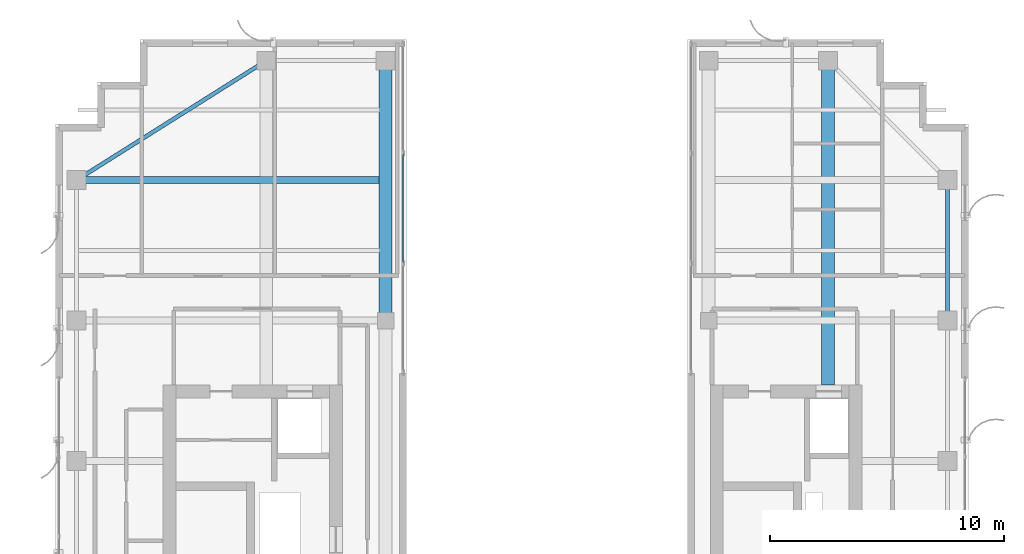
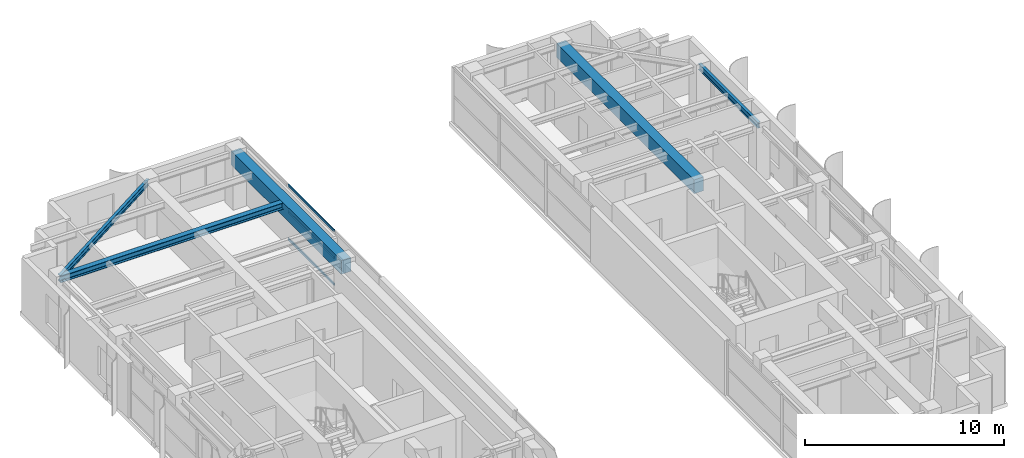
# One storey, part 14 of 24: 5 beams, 3 members, 1 element without a shape of its own.
"""IFC4 building model written with IfcOpenShell, lengths in metres."""

import ifcopenshell
import ifcopenshell.guid

model = None  # the IFC model being written
_history = None  # IfcOwnerHistory: only IFC2X3 demands one
_inside = {}  # id of a spatial element -> (the spatial element, [elements in it])
_under = {}  # id of a project, library or spatial element -> (it, [spatial elements below it])
_declared = {}  # id of a project -> (the project, [libraries it declares])
_typed = {}  # id of a type object -> (the type object, [elements of that type])
_made_of = {}  # id of a material, layer set ... -> (it, [elements and type objects made of it])


def new_model(schema):
    """Start an empty IFC model of exactly this schema.

    Asked for "IFC4X3", IfcOpenShell would pick the latest addendum, in which some entities
    have other attributes; the version numbers below select the first issue.
    IFC2X3 requires an IfcOwnerHistory on every rooted entity: one is made here for all.
    """
    global model, _history
    if schema == "IFC4X3":
        model = ifcopenshell.file(schema_version=(4, 3, 0, 0))
    else:
        model = ifcopenshell.file(schema=schema)
    _inside.clear()
    _under.clear()
    _declared.clear()
    _typed.clear()
    _made_of.clear()
    _history = None
    if model.schema == "IFC2X3":
        org = make("IfcOrganization", Name="unknown")
        user = make(
            "IfcPersonAndOrganization",
            ThePerson=make("IfcPerson", FamilyName="unknown"),
            TheOrganization=org,
        )
        app = make(
            "IfcApplication",
            ApplicationDeveloper=org,
            Version="unknown",
            ApplicationFullName="unknown",
            ApplicationIdentifier="unknown",
        )
        _history = make(
            "IfcOwnerHistory",
            OwningUser=user,
            OwningApplication=app,
            ChangeAction="ADDED",
            CreationDate=0,
        )
    return model


def make(cls, **values):
    """One entity of the class cls with the attributes given. An attribute that is None is left unset."""
    return model.create_entity(
        cls, **{name: value for name, value in values.items() if value is not None}
    )


def rooted(cls, **values):
    """An entity with a GlobalId (a new one), such as an element, a storey or a relation."""
    return make(cls, GlobalId=ifcopenshell.guid.new(), OwnerHistory=_history, **values)


def si_unit(unit_type, name, prefix=None):
    """IfcSIUnit, for example si_unit("LENGTHUNIT", "METRE", prefix="MILLI")."""
    return make("IfcSIUnit", UnitType=unit_type, Prefix=prefix, Name=name)


def assignment(units):
    """IfcUnitAssignment: the units of a project."""
    return None if units is None else make("IfcUnitAssignment", Units=units)


def point(xyz):
    """IfcCartesianPoint."""
    return None if xyz is None else make("IfcCartesianPoint", Coordinates=xyz)


def direction(xyz):
    """IfcDirection."""
    return None if xyz is None else make("IfcDirection", DirectionRatios=xyz)


def frame(location, z_axis=None, x_axis=None):
    """IfcAxis2Placement3D, a coordinate frame: its origin and axes. An axis left out is left unset."""
    return make(
        "IfcAxis2Placement3D",
        Location=point(location),
        Axis=direction(z_axis),
        RefDirection=direction(x_axis),
    )


def frame_2d(location, x_axis=None):
    """IfcAxis2Placement2D, a coordinate frame in the plane: its origin and x axis."""
    return make(
        "IfcAxis2Placement2D", Location=point(location), RefDirection=direction(x_axis)
    )


def origin():
    """The frame at (0, 0, 0) with its axes left unset."""
    return frame((0.0, 0.0, 0.0))


def origin_2d():
    """The frame at (0, 0) in the plane with its x axis left unset."""
    return frame_2d((0.0, 0.0))


def place(relative_to, where):
    """IfcLocalPlacement: puts the frame where relative to a parent placement (None: the world)."""
    return make(
        "IfcLocalPlacement", PlacementRelTo=relative_to, RelativePlacement=where
    )


def context(
    kind, dimensions, precision=None, world=None, true_north=None, identifier=None
):
    """IfcGeometricRepresentationContext, for example the 3D "Model" context."""
    return make(
        "IfcGeometricRepresentationContext",
        ContextIdentifier=identifier,
        ContextType=kind,
        CoordinateSpaceDimension=dimensions,
        Precision=precision,
        WorldCoordinateSystem=world,
        TrueNorth=true_north,
    )


def subcontext(parent, identifier, kind, view, scale=None):
    """IfcGeometricRepresentationSubContext, for example "Body" below "Model"."""
    return make(
        "IfcGeometricRepresentationSubContext",
        ContextIdentifier=identifier,
        ContextType=kind,
        ParentContext=parent,
        TargetScale=scale,
        TargetView=view,
    )


def project(units=None, contexts=None):
    """IfcProject with its units and contexts."""
    return rooted(
        "IfcProject",
        Name="project",
        RepresentationContexts=contexts,
        UnitsInContext=assignment(units),
    )


def spatial(cls, under=None, at=None, **own):
    """A site, building, storey or space (cls), placed at a placement, below another one or the project."""
    s = rooted(cls, ObjectPlacement=at, **own)
    if under is not None:
        _under.setdefault(under.id(), (under, []))[1].append(s)
    return s


def profile(cls, at=None, kind="AREA", **sizes):
    """A parametric profile (cls). Its sizes go by their IFC names, for example OverallWidth=200.0."""
    return make(cls, ProfileType=kind, Position=at, **sizes)


def rectangle(**sizes):
    """IfcRectangleProfileDef."""
    return profile("IfcRectangleProfileDef", **sizes)


def hollow_rectangle(**sizes):
    """IfcRectangleHollowProfileDef."""
    return profile("IfcRectangleHollowProfileDef", **sizes)


def i_section(**sizes):
    """IfcIShapeProfileDef."""
    return profile("IfcIShapeProfileDef", **sizes)


def extrude(swept, where, along, depth):
    """IfcExtrudedAreaSolid: the profile swept, set in the frame where, extruded along a direction by depth."""
    return make(
        "IfcExtrudedAreaSolid",
        SweptArea=swept,
        Position=where,
        ExtrudedDirection=direction(along),
        Depth=depth,
    )


def shape(context_of_items, identifier, shape_type, items):
    """IfcShapeRepresentation: the items that make up one representation, for example the "Body"."""
    return make(
        "IfcShapeRepresentation",
        ContextOfItems=context_of_items,
        RepresentationIdentifier=identifier,
        RepresentationType=shape_type,
        Items=items,
    )


def source(mapping_origin, context_of_items, identifier, shape_type, items):
    """IfcRepresentationMap: a shape defined once, which mapped items show again and again."""
    return make(
        "IfcRepresentationMap",
        MappingOrigin=mapping_origin,
        MappedRepresentation=shape(context_of_items, identifier, shape_type, items),
    )


def transform(
    local_origin,
    x_axis=None,
    y_axis=None,
    z_axis=None,
    scale=None,
    scale2=None,
    scale3=None,
    uniform=True,
):
    """IfcCartesianTransformationOperator3D, or its non-uniform kind. x_axis, y_axis, z_axis: its Axis1, 2, 3."""
    if uniform:
        return make(
            "IfcCartesianTransformationOperator3D",
            Axis1=direction(x_axis),
            Axis2=direction(y_axis),
            LocalOrigin=point(local_origin),
            Scale=scale,
            Axis3=direction(z_axis),
        )
    return make(
        "IfcCartesianTransformationOperator3DnonUniform",
        Axis1=direction(x_axis),
        Axis2=direction(y_axis),
        LocalOrigin=point(local_origin),
        Scale=scale,
        Axis3=direction(z_axis),
        Scale2=scale2,
        Scale3=scale3,
    )


def mapped(mapping_source, mapping_target):
    """IfcMappedItem: shows the shape of a source again, moved by a transform."""
    return make(
        "IfcMappedItem", MappingSource=mapping_source, MappingTarget=mapping_target
    )


def material(Name=None, Category=None):
    """IfcMaterial."""
    return make("IfcMaterial", Name=Name, Category=Category)


def layer(
    of_material, thickness, ventilated=None, Name=None, Category=None, Priority=None
):
    """IfcMaterialLayer: one layer of a wall or slab, of a material (None: an air gap)."""
    return make(
        "IfcMaterialLayer",
        Material=of_material,
        LayerThickness=thickness,
        IsVentilated=ventilated,
        Name=Name,
        Category=Category,
        Priority=Priority,
    )


def layer_set(layers, Name=None):
    """IfcMaterialLayerSet."""
    return make("IfcMaterialLayerSet", MaterialLayers=layers, LayerSetName=Name)


def material_profile(
    of_material, cross_section, Name=None, Category=None, Priority=None
):
    """IfcMaterialProfile: a cross section and its material."""
    return make(
        "IfcMaterialProfile",
        Name=Name,
        Material=of_material,
        Profile=cross_section,
        Priority=Priority,
        Category=Category,
    )


def profile_set(profiles, Name=None, composite=None):
    """IfcMaterialProfileSet."""
    return make(
        "IfcMaterialProfileSet",
        Name=Name,
        MaterialProfiles=profiles,
        CompositeProfile=composite,
    )


def made_of(thing, what):
    """Note that an element or type object is made of a material, layer set ...; save() writes the relation."""
    if what is not None:
        _made_of.setdefault(what.id(), (what, []))[1].append(thing)
    return thing


def type_object(cls, material=None, **own):
    """A type object (cls), such as IfcWallType, which elements share."""
    return made_of(rooted(cls, **own), material)


def element(
    cls,
    number,
    at=None,
    inside=None,
    cuts=None,
    type_object=None,
    material=None,
    context=None,
    identifier="Body",
    shape_type=None,
    held_by="IfcProductDefinitionShape",
    body=None,
    shapes=None,
    **own,
):
    """One element of the class cls, such as IfcWall. Its Tag is "e" and its number.

    at: its placement. inside: the storey or other place that contains it. cuts: it is an
    opening in that element (IfcRelVoidsElement). A single representation is given by context,
    identifier, shape_type and body (its items); several are given by shapes. held_by: the class
    of the entity that holds the representations. save() writes the other relations.
    """
    e = rooted(cls, Tag="e%d" % number, ObjectPlacement=at, **own)
    if body is not None:
        shapes = [shape(context, identifier, shape_type, body)]
    if shapes is not None:
        e.Representation = make(held_by, Representations=shapes)
    if inside is not None:
        _inside.setdefault(inside.id(), (inside, []))[1].append(e)
    if cuts is not None:
        rooted(
            "IfcRelVoidsElement", RelatingBuildingElement=cuts, RelatedOpeningElement=e
        )
    if type_object is not None:
        _typed.setdefault(type_object.id(), (type_object, []))[1].append(e)
    return made_of(e, material)


def aggregate(whole, parts):
    """IfcRelAggregates: a whole, such as a stair, and the parts it consists of."""
    return rooted("IfcRelAggregates", RelatingObject=whole, RelatedObjects=parts)


def save(model, path):
    """Write the relations noted so far, then the file.

    IfcRelAggregates (storeys below a building ...), IfcRelContainedInSpatialStructure (elements
    in a storey), IfcRelDefinesByType, IfcRelAssociatesMaterial and IfcRelDeclares: one each for
    every whole, place, type object, material and project.
    """
    for whole, parts in _under.values():
        aggregate(whole, parts)
    for where, things in _inside.values():
        rooted(
            "IfcRelContainedInSpatialStructure",
            RelatedElements=things,
            RelatingStructure=where,
        )
    for kind, things in _typed.values():
        rooted("IfcRelDefinesByType", RelatedObjects=things, RelatingType=kind)
    for what, things in _made_of.values():
        rooted("IfcRelAssociatesMaterial", RelatedObjects=things, RelatingMaterial=what)
    for by, libraries in _declared.values():
        rooted("IfcRelDeclares", RelatingContext=by, RelatedDefinitions=libraries)
    model.write(path)


model = new_model("IFC4")

# Units and contexts
model_context = context("Model", 3, precision=1e-05, world=origin(), true_north=direction((0.0, 1.0)))
body_context = subcontext(model_context, "Body", "Model", "MODEL_VIEW")
ifc_project = project(units=[si_unit("LENGTHUNIT", "METRE"), si_unit("AREAUNIT", "SQUARE_METRE"), si_unit("VOLUMEUNIT", "CUBIC_METRE"), si_unit("PLANEANGLEUNIT", "RADIAN"), si_unit("MASSUNIT", "GRAM", prefix="KILO")], contexts=[model_context])

# Site, building, storey
site_placement = place(None, origin())
site = spatial("IfcSite", under=ifc_project, at=site_placement, CompositionType="ELEMENT")
building_placement = place(site_placement, origin())
building = spatial("IfcBuilding", under=site, at=building_placement, Name="Khoralis Quay Care Tower", CompositionType="ELEMENT")
storey_placement = place(building_placement, frame((0.0, 0.0, 249.300048828125)))
storey = spatial("IfcBuildingStorey", under=building, at=storey_placement, Name="L65", CompositionType="ELEMENT", Elevation=249.300048828125)

# Beams
ifc_material_1 = material(Name="Steel S355", Category="steel")
ifc_material_profile_1 = material_profile(ifc_material_1, i_section(OverallWidth=0.169921875, OverallDepth=0.360107421875, WebThickness=0.008056640625, FlangeThickness=0.0126953125, FilletRadius=0.01806640625, at=origin_2d()), Name="Steel S355")
ifc_profile_set_1 = profile_set([ifc_material_profile_1], Name="Steel S355")
beam_type_1 = type_object("IfcBeamType", Name="BM-IPE360", PredefinedType="SPANDREL", material=ifc_profile_set_1)
shared_shape_1 = source(origin(), body_context, "Body", "SweptSolid", [
    extrude(i_section(OverallWidth=0.169921875, OverallDepth=0.360107421875, WebThickness=0.008056640625, FlangeThickness=0.0126953125, FilletRadius=0.01806640625, at=origin_2d()), origin(), (0.0, 0.0, 1.0), 6.0),
])
beam_1_placement = place(storey_placement, frame((41.10009765625, 30.0, 3.179931640625), z_axis=(0.0, 1.0, 0.0), x_axis=(-1.0, 0.0, 0.0)))
element("IfcBeam", 1, at=beam_1_placement, inside=storey, type_object=beam_type_1, Name="BM-TSP-L65-12", PredefinedType="SPANDREL", context=body_context, shape_type="MappedRepresentation", body=[
    mapped(shared_shape_1, transform((0.0, 0.0, 0.0), scale=1.0)),
])
shared_shape_2 = source(origin(), body_context, "Body", "SweptSolid", [
    extrude(i_section(OverallWidth=0.169921875, OverallDepth=0.360107421875, WebThickness=0.008056640625, FlangeThickness=0.0126953125, FilletRadius=0.01806640625, at=origin_2d()), origin(), (0.0, 0.0, 1.0), 9.572021484375),
])
beam_2_placement = place(storey_placement, frame((12.0, 41.10009765625, 3.179931640625), z_axis=(-0.846231136359, -0.532815975602, 0.0), x_axis=(0.532815975602, -0.846231136359, 0.0)))
element("IfcBeam", 2, at=beam_2_placement, inside=storey, type_object=beam_type_1, Name="BM-TCR-L65-15", PredefinedType="SPANDREL", context=body_context, shape_type="MappedRepresentation", body=[
    mapped(shared_shape_2, transform((0.0, 0.0, 0.0), scale=1.0)),
])
ifc_material_profile_2 = material_profile(ifc_material_1, i_section(OverallWidth=0.300048828125, OverallDepth=0.39990234375, WebThickness=0.013427734375, FlangeThickness=0.02392578125, FilletRadius=0.027099609375, at=origin_2d()), Name="Steel S355")
ifc_profile_set_2 = profile_set([ifc_material_profile_2], Name="Steel S355")
beam_type_2 = type_object("IfcBeamType", Name="BM-HEB400", PredefinedType="BEAM", material=ifc_profile_set_2)
shared_shape_3 = source(origin(), body_context, "Body", "SweptSolid", [
    extrude(i_section(OverallWidth=0.300048828125, OverallDepth=0.39990234375, WebThickness=0.013427734375, FlangeThickness=0.02392578125, FilletRadius=0.027099609375, at=origin_2d()), origin(), (0.0, 0.0, 1.0), 12.93701171875),
])
beam_3_placement = place(storey_placement, frame((3.89990234375, 36.0, 3.159912109375), z_axis=(1.0, 0.0, 0.0), x_axis=(0.0, 1.0, 0.0)))
element("IfcBeam", 3, at=beam_3_placement, inside=storey, type_object=beam_type_2, Name="BM-TGXW-L65-360", PredefinedType="BEAM", context=body_context, shape_type="MappedRepresentation", body=[
    mapped(shared_shape_3, transform((0.0, 0.0, 0.0), scale=1.0)),
])
ifc_material_2 = material(Name="Concrete C50/60", Category="concrete")
ifc_material_profile_3 = material_profile(ifc_material_2, rectangle(XDim=0.550048828125, YDim=0.85009765625, at=origin_2d()), Name="Concrete C50/60")
ifc_profile_set_3 = profile_set([ifc_material_profile_3], Name="Concrete C50/60")
beam_type_3 = type_object("IfcBeamType", Name="BM-RC550X850", PredefinedType="BEAM", material=ifc_profile_set_3)
shared_shape_4 = source(origin(), body_context, "Body", "SweptSolid", [
    extrude(rectangle(XDim=0.550048828125, YDim=0.85009765625, at=origin_2d()), origin(), (0.0, 0.0, 1.0), 13.85205078125),
])
beam_4_placement = place(storey_placement, frame((36.0, 27.248046875, 2.93505859375), z_axis=(0.0, 1.0, 0.0), x_axis=(-1.0, 0.0, 0.0)))
element("IfcBeam", 4, at=beam_4_placement, inside=storey, type_object=beam_type_3, Name="BM-TGYN-L65-360", PredefinedType="BEAM", context=body_context, shape_type="MappedRepresentation", body=[
    mapped(shared_shape_4, transform((0.0, 0.0, 0.0), scale=1.0)),
])
shared_shape_5 = source(origin(), body_context, "Body", "SweptSolid", [
    extrude(rectangle(XDim=0.550048828125, YDim=0.85009765625, at=origin_2d()), origin(), (0.0, 0.0, 1.0), 11.10009765625),
])
beam_5_placement = place(storey_placement, frame((17.10009765625, 30.0, 2.93505859375), z_axis=(0.0, 1.0, 0.0), x_axis=(-1.0, 0.0, 0.0)))
element("IfcBeam", 5, at=beam_5_placement, inside=storey, type_object=beam_type_3, Name="BM-TGYN-L65-171", PredefinedType="BEAM", context=body_context, shape_type="MappedRepresentation", body=[
    mapped(shared_shape_5, transform((0.0, 0.0, 0.0), scale=1.0)),
])

# Curtain wall, members
ifc_material_3 = material(Name="Pale anodised aluminium", Category="aluminium")
ifc_layer = layer(ifc_material_3, 0.18994140625)
ifc_layer_set = layer_set([ifc_layer], Name="Pale anodised aluminium")
curtain_wall_type = type_object("IfcCurtainWallType", Name="CW-SYS-PORTAL", PredefinedType="NOTDEFINED", material=ifc_layer_set)
curtain_wall_placement = place(storey_placement, origin())
curtain_wall = element("IfcCurtainWall", 6, at=curtain_wall_placement, inside=storey, type_object=curtain_wall_type, Name="L65 Unitised Curtain Wall CW-VP-L65-P1-N", PredefinedType="NOTDEFINED")
ifc_material_profile_4 = material_profile(ifc_material_3, hollow_rectangle(XDim=0.06005859375, YDim=0.139892578125, WallThickness=0.00390625, at=origin_2d()), Name="Pale anodised aluminium")
ifc_profile_set_4 = profile_set([ifc_material_profile_4], Name="Pale anodised aluminium")
member_type = type_object("IfcMemberType", Name="CW-TRN-140", PredefinedType="USERDEFINED", material=ifc_profile_set_4)
shared_shape_6 = source(origin(), body_context, "Body", "SweptSolid", [
    extrude(hollow_rectangle(XDim=0.06005859375, YDim=0.139892578125, WallThickness=0.00390625, at=origin_2d()), origin(), (0.0, 0.0, 1.0), 4.64013671875),
])
member_1_placement = place(storey_placement, frame((17.85009765625, 32.47998046875, 0.030029296875), z_axis=(0.0, 1.0, 0.0), x_axis=(-1.0, 0.0, 0.0)))
member_1 = element("IfcMember", 7, at=member_1_placement, type_object=member_type, Name="CW4 transom 2.1", ObjectType="TRANSOM", PredefinedType="USERDEFINED", context=body_context, shape_type="MappedRepresentation", body=[
    mapped(shared_shape_6, transform((0.0, 0.0, 0.0), scale=1.0)),
])
member_2_placement = place(storey_placement, frame((17.85009765625, 32.47998046875, 1.679931640625), z_axis=(0.0, 1.0, 0.0), x_axis=(-1.0, 0.0, 0.0)))
member_2 = element("IfcMember", 8, at=member_2_placement, type_object=member_type, Name="CW4 transom 2.2", ObjectType="TRANSOM", PredefinedType="USERDEFINED", context=body_context, shape_type="MappedRepresentation", body=[
    mapped(shared_shape_6, transform((0.0, 0.0, 0.0), scale=1.0)),
])
member_3_placement = place(storey_placement, frame((17.85009765625, 32.47998046875, 3.329833984375), z_axis=(0.0, 1.0, 0.0), x_axis=(-1.0, 0.0, 0.0)))
member_3 = element("IfcMember", 9, at=member_3_placement, type_object=member_type, Name="CW4 transom 2.3", ObjectType="TRANSOM", PredefinedType="USERDEFINED", context=body_context, shape_type="MappedRepresentation", body=[
    mapped(shared_shape_6, transform((0.0, 0.0, 0.0), scale=1.0)),
])
aggregate(curtain_wall, [member_1, member_2, member_3])

save(model, "model.ifc")
